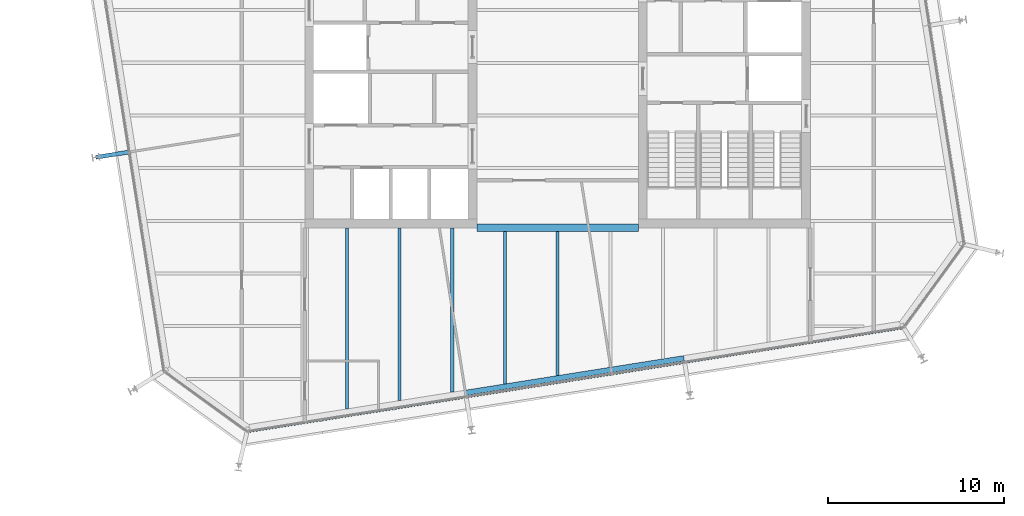
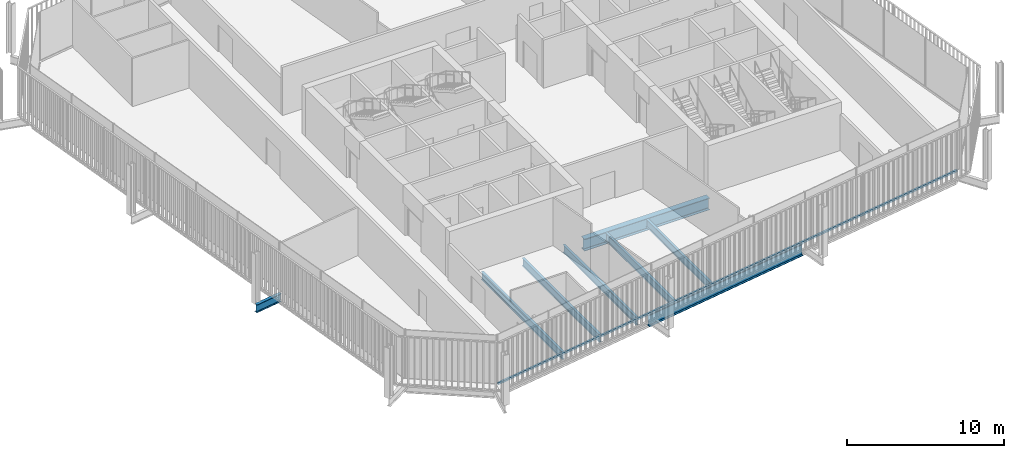
# One storey, part 3 of 20: 8 beams, 1 member, 1 element without a shape of its own.
"""IFC4 building model written with IfcOpenShell, lengths in metres."""

import ifcopenshell
import ifcopenshell.guid

model = None  # the IFC model being written
_history = None  # IfcOwnerHistory: only IFC2X3 demands one
_inside = {}  # id of a spatial element -> (the spatial element, [elements in it])
_under = {}  # id of a project, library or spatial element -> (it, [spatial elements below it])
_declared = {}  # id of a project -> (the project, [libraries it declares])
_typed = {}  # id of a type object -> (the type object, [elements of that type])
_made_of = {}  # id of a material, layer set ... -> (it, [elements and type objects made of it])


def new_model(schema):
    """Start an empty IFC model of exactly this schema.

    Asked for "IFC4X3", IfcOpenShell would pick the latest addendum, in which some entities
    have other attributes; the version numbers below select the first issue.
    IFC2X3 requires an IfcOwnerHistory on every rooted entity: one is made here for all.
    """
    global model, _history
    if schema == "IFC4X3":
        model = ifcopenshell.file(schema_version=(4, 3, 0, 0))
    else:
        model = ifcopenshell.file(schema=schema)
    _inside.clear()
    _under.clear()
    _declared.clear()
    _typed.clear()
    _made_of.clear()
    _history = None
    if model.schema == "IFC2X3":
        org = make("IfcOrganization", Name="unknown")
        user = make(
            "IfcPersonAndOrganization",
            ThePerson=make("IfcPerson", FamilyName="unknown"),
            TheOrganization=org,
        )
        app = make(
            "IfcApplication",
            ApplicationDeveloper=org,
            Version="unknown",
            ApplicationFullName="unknown",
            ApplicationIdentifier="unknown",
        )
        _history = make(
            "IfcOwnerHistory",
            OwningUser=user,
            OwningApplication=app,
            ChangeAction="ADDED",
            CreationDate=0,
        )
    return model


def make(cls, **values):
    """One entity of the class cls with the attributes given. An attribute that is None is left unset."""
    return model.create_entity(
        cls, **{name: value for name, value in values.items() if value is not None}
    )


def rooted(cls, **values):
    """An entity with a GlobalId (a new one), such as an element, a storey or a relation."""
    return make(cls, GlobalId=ifcopenshell.guid.new(), OwnerHistory=_history, **values)


def si_unit(unit_type, name, prefix=None):
    """IfcSIUnit, for example si_unit("LENGTHUNIT", "METRE", prefix="MILLI")."""
    return make("IfcSIUnit", UnitType=unit_type, Prefix=prefix, Name=name)


def assignment(units):
    """IfcUnitAssignment: the units of a project."""
    return None if units is None else make("IfcUnitAssignment", Units=units)


def point(xyz):
    """IfcCartesianPoint."""
    return None if xyz is None else make("IfcCartesianPoint", Coordinates=xyz)


def direction(xyz):
    """IfcDirection."""
    return None if xyz is None else make("IfcDirection", DirectionRatios=xyz)


def frame(location, z_axis=None, x_axis=None):
    """IfcAxis2Placement3D, a coordinate frame: its origin and axes. An axis left out is left unset."""
    return make(
        "IfcAxis2Placement3D",
        Location=point(location),
        Axis=direction(z_axis),
        RefDirection=direction(x_axis),
    )


def frame_2d(location, x_axis=None):
    """IfcAxis2Placement2D, a coordinate frame in the plane: its origin and x axis."""
    return make(
        "IfcAxis2Placement2D", Location=point(location), RefDirection=direction(x_axis)
    )


def origin():
    """The frame at (0, 0, 0) with its axes left unset."""
    return frame((0.0, 0.0, 0.0))


def origin_2d():
    """The frame at (0, 0) in the plane with its x axis left unset."""
    return frame_2d((0.0, 0.0))


def place(relative_to, where):
    """IfcLocalPlacement: puts the frame where relative to a parent placement (None: the world)."""
    return make(
        "IfcLocalPlacement", PlacementRelTo=relative_to, RelativePlacement=where
    )


def context(
    kind, dimensions, precision=None, world=None, true_north=None, identifier=None
):
    """IfcGeometricRepresentationContext, for example the 3D "Model" context."""
    return make(
        "IfcGeometricRepresentationContext",
        ContextIdentifier=identifier,
        ContextType=kind,
        CoordinateSpaceDimension=dimensions,
        Precision=precision,
        WorldCoordinateSystem=world,
        TrueNorth=true_north,
    )


def subcontext(parent, identifier, kind, view, scale=None):
    """IfcGeometricRepresentationSubContext, for example "Body" below "Model"."""
    return make(
        "IfcGeometricRepresentationSubContext",
        ContextIdentifier=identifier,
        ContextType=kind,
        ParentContext=parent,
        TargetScale=scale,
        TargetView=view,
    )


def project(units=None, contexts=None):
    """IfcProject with its units and contexts."""
    return rooted(
        "IfcProject",
        Name="project",
        RepresentationContexts=contexts,
        UnitsInContext=assignment(units),
    )


def spatial(cls, under=None, at=None, **own):
    """A site, building, storey or space (cls), placed at a placement, below another one or the project."""
    s = rooted(cls, ObjectPlacement=at, **own)
    if under is not None:
        _under.setdefault(under.id(), (under, []))[1].append(s)
    return s


def profile(cls, at=None, kind="AREA", **sizes):
    """A parametric profile (cls). Its sizes go by their IFC names, for example OverallWidth=200.0."""
    return make(cls, ProfileType=kind, Position=at, **sizes)


def rectangle(**sizes):
    """IfcRectangleProfileDef."""
    return profile("IfcRectangleProfileDef", **sizes)


def i_section(**sizes):
    """IfcIShapeProfileDef."""
    return profile("IfcIShapeProfileDef", **sizes)


def extrude(swept, where, along, depth):
    """IfcExtrudedAreaSolid: the profile swept, set in the frame where, extruded along a direction by depth."""
    return make(
        "IfcExtrudedAreaSolid",
        SweptArea=swept,
        Position=where,
        ExtrudedDirection=direction(along),
        Depth=depth,
    )


def shape(context_of_items, identifier, shape_type, items):
    """IfcShapeRepresentation: the items that make up one representation, for example the "Body"."""
    return make(
        "IfcShapeRepresentation",
        ContextOfItems=context_of_items,
        RepresentationIdentifier=identifier,
        RepresentationType=shape_type,
        Items=items,
    )


def material(Name=None, Category=None):
    """IfcMaterial."""
    return make("IfcMaterial", Name=Name, Category=Category)


def layer(
    of_material, thickness, ventilated=None, Name=None, Category=None, Priority=None
):
    """IfcMaterialLayer: one layer of a wall or slab, of a material (None: an air gap)."""
    return make(
        "IfcMaterialLayer",
        Material=of_material,
        LayerThickness=thickness,
        IsVentilated=ventilated,
        Name=Name,
        Category=Category,
        Priority=Priority,
    )


def layer_set(layers, Name=None):
    """IfcMaterialLayerSet."""
    return make("IfcMaterialLayerSet", MaterialLayers=layers, LayerSetName=Name)


def material_profile(
    of_material, cross_section, Name=None, Category=None, Priority=None
):
    """IfcMaterialProfile: a cross section and its material."""
    return make(
        "IfcMaterialProfile",
        Name=Name,
        Material=of_material,
        Profile=cross_section,
        Priority=Priority,
        Category=Category,
    )


def profile_set(profiles, Name=None, composite=None):
    """IfcMaterialProfileSet."""
    return make(
        "IfcMaterialProfileSet",
        Name=Name,
        MaterialProfiles=profiles,
        CompositeProfile=composite,
    )


def made_of(thing, what):
    """Note that an element or type object is made of a material, layer set ...; save() writes the relation."""
    if what is not None:
        _made_of.setdefault(what.id(), (what, []))[1].append(thing)
    return thing


def type_object(cls, material=None, **own):
    """A type object (cls), such as IfcWallType, which elements share."""
    return made_of(rooted(cls, **own), material)


def element(
    cls,
    number,
    at=None,
    inside=None,
    cuts=None,
    type_object=None,
    material=None,
    context=None,
    identifier="Body",
    shape_type=None,
    held_by="IfcProductDefinitionShape",
    body=None,
    shapes=None,
    **own,
):
    """One element of the class cls, such as IfcWall. Its Tag is "e" and its number.

    at: its placement. inside: the storey or other place that contains it. cuts: it is an
    opening in that element (IfcRelVoidsElement). A single representation is given by context,
    identifier, shape_type and body (its items); several are given by shapes. held_by: the class
    of the entity that holds the representations. save() writes the other relations.
    """
    e = rooted(cls, Tag="e%d" % number, ObjectPlacement=at, **own)
    if body is not None:
        shapes = [shape(context, identifier, shape_type, body)]
    if shapes is not None:
        e.Representation = make(held_by, Representations=shapes)
    if inside is not None:
        _inside.setdefault(inside.id(), (inside, []))[1].append(e)
    if cuts is not None:
        rooted(
            "IfcRelVoidsElement", RelatingBuildingElement=cuts, RelatedOpeningElement=e
        )
    if type_object is not None:
        _typed.setdefault(type_object.id(), (type_object, []))[1].append(e)
    return made_of(e, material)


def aggregate(whole, parts):
    """IfcRelAggregates: a whole, such as a stair, and the parts it consists of."""
    return rooted("IfcRelAggregates", RelatingObject=whole, RelatedObjects=parts)


def save(model, path):
    """Write the relations noted so far, then the file.

    IfcRelAggregates (storeys below a building ...), IfcRelContainedInSpatialStructure (elements
    in a storey), IfcRelDefinesByType, IfcRelAssociatesMaterial and IfcRelDeclares: one each for
    every whole, place, type object, material and project.
    """
    for whole, parts in _under.values():
        aggregate(whole, parts)
    for where, things in _inside.values():
        rooted(
            "IfcRelContainedInSpatialStructure",
            RelatedElements=things,
            RelatingStructure=where,
        )
    for kind, things in _typed.values():
        rooted("IfcRelDefinesByType", RelatedObjects=things, RelatingType=kind)
    for what, things in _made_of.values():
        rooted("IfcRelAssociatesMaterial", RelatedObjects=things, RelatingMaterial=what)
    for by, libraries in _declared.values():
        rooted("IfcRelDeclares", RelatingContext=by, RelatedDefinitions=libraries)
    model.write(path)


model = new_model("IFC4")

# Units and contexts
model_context = context("Model", 3, precision=1e-05, world=origin(), true_north=direction((0.0, 1.0)))
body_context = subcontext(model_context, "Body", "Model", "MODEL_VIEW")
ifc_project = project(units=[si_unit("LENGTHUNIT", "METRE"), si_unit("AREAUNIT", "SQUARE_METRE"), si_unit("VOLUMEUNIT", "CUBIC_METRE"), si_unit("PLANEANGLEUNIT", "RADIAN"), si_unit("MASSUNIT", "GRAM", prefix="KILO")], contexts=[model_context])

# Site, building, storey
site_placement = place(None, origin())
site = spatial("IfcSite", under=ifc_project, at=site_placement, CompositionType="ELEMENT")
building_placement = place(site_placement, origin())
building = spatial("IfcBuilding", under=site, at=building_placement, Name="Millrace Tower", CompositionType="ELEMENT")
storey_placement = place(building_placement, frame((0.0, 0.0, 251.300048828125)))
storey = spatial("IfcBuildingStorey", under=building, at=storey_placement, Name="L57", CompositionType="ELEMENT", Elevation=251.300048828125)

# Curtain wall, member
ifc_material_1 = material(Name="Aluminium and glass", Category="aluminium")
ifc_layer = layer(ifc_material_1, 0.14990234375)
ifc_layer_set = layer_set([ifc_layer], Name="Aluminium and glass")
curtain_wall_type = type_object("IfcCurtainWallType", Name="CW-1 office vision curtain wall", PredefinedType="NOTDEFINED", material=ifc_layer_set)
curtain_wall_placement = place(storey_placement, origin())
curtain_wall = element("IfcCurtainWall", 1, at=curtain_wall_placement, inside=storey, type_object=curtain_wall_type, Name="Curtain wall D-F02 L57", PredefinedType="NOTDEFINED")
ifc_material_2 = material(Name="Aluminium", Category="aluminium")
ifc_material_profile_1 = material_profile(ifc_material_2, rectangle(XDim=0.14990234375, YDim=0.139892578125, at=origin_2d()))
ifc_profile_set_1 = profile_set([ifc_material_profile_1], Name="Aluminium")
member_type = type_object("IfcMemberType", Name="CW-1 office vision curtain wall transom", PredefinedType="USERDEFINED", material=ifc_profile_set_1)
member_placement = place(storey_placement, frame((-17.558837890625, -20.98193359375, 0.070068359375), z_axis=(0.987687829698, 0.156437690685, 0.0), x_axis=(-0.156437690685, 0.987687829698, 0.0)))
member = element("IfcMember", 2, at=member_placement, type_object=member_type, Name="CW1 transom D-F02.1", ObjectType="TRANSOM", PredefinedType="USERDEFINED", context=body_context, shape_type="SweptSolid", body=[
    extrude(rectangle(XDim=0.14990234375, YDim=0.139892578125, at=origin_2d()), origin(), (0.0, 0.0, 1.0), 37.60009765625),
])
aggregate(curtain_wall, [member])

# Beams
ifc_material_3 = material(Name="Steel ASTM A992 Grade 50", Category="steel")
ifc_material_profile_2 = material_profile(ifc_material_3, i_section(OverallWidth=0.177978515625, OverallDepth=0.599365234375, WebThickness=0.010009765625, FlangeThickness=0.012939453125, FilletRadius=0.012939453125, at=origin_2d()))
ifc_profile_set_2 = profile_set([ifc_material_profile_2], Name="Steel ASTM A992 Grade 50")
beam_type_1 = type_object("IfcBeamType", Name="Floor beam W24x55", PredefinedType="JOIST", material=ifc_profile_set_2)
beam_1_placement = place(storey_placement, frame((-9.0, -19.2392578125, -0.459716796875), z_axis=(0.0, 1.0, 0.0), x_axis=(-1.0, 0.0, 0.0)))
element("IfcBeam", 3, at=beam_1_placement, inside=storey, type_object=beam_type_1, Name="BM-D-L57-S1-S039", PredefinedType="JOIST", context=body_context, shape_type="SweptSolid", body=[
    extrude(i_section(OverallWidth=0.177978515625, OverallDepth=0.599365234375, WebThickness=0.010009765625, FlangeThickness=0.012939453125, FilletRadius=0.012939453125, at=origin_2d()), origin(), (0.0, 0.0, 1.0), 9.83935546875),
])
beam_2_placement = place(storey_placement, frame((-6.0, -18.763916015625, -0.459716796875), z_axis=(0.0, 1.0, 0.0), x_axis=(-1.0, 0.0, 0.0)))
element("IfcBeam", 4, at=beam_2_placement, inside=storey, type_object=beam_type_1, Name="BM-D-L57-S1-S041", PredefinedType="JOIST", context=body_context, shape_type="SweptSolid", body=[
    extrude(i_section(OverallWidth=0.177978515625, OverallDepth=0.599365234375, WebThickness=0.010009765625, FlangeThickness=0.012939453125, FilletRadius=0.012939453125, at=origin_2d()), origin(), (0.0, 0.0, 1.0), 9.364013671875),
])
beam_3_placement = place(storey_placement, frame((-3.0, -18.288818359375, -0.459716796875), z_axis=(0.0, 1.0, 0.0), x_axis=(-1.0, 0.0, 0.0)))
element("IfcBeam", 5, at=beam_3_placement, inside=storey, type_object=beam_type_1, Name="BM-D-L57-S1-S043", PredefinedType="JOIST", context=body_context, shape_type="SweptSolid", body=[
    extrude(i_section(OverallWidth=0.177978515625, OverallDepth=0.599365234375, WebThickness=0.010009765625, FlangeThickness=0.012939453125, FilletRadius=0.012939453125, at=origin_2d()), origin(), (0.0, 0.0, 1.0), 8.67919921875),
])
beam_4_placement = place(storey_placement, frame((0.0, -17.813720703125, -0.459716796875), z_axis=(0.0, 1.0, 0.0), x_axis=(-1.0, 0.0, 0.0)))
element("IfcBeam", 6, at=beam_4_placement, inside=storey, type_object=beam_type_1, Name="BM-D-L57-S1-S045", PredefinedType="JOIST", context=body_context, shape_type="SweptSolid", body=[
    extrude(i_section(OverallWidth=0.177978515625, OverallDepth=0.599365234375, WebThickness=0.010009765625, FlangeThickness=0.012939453125, FilletRadius=0.012939453125, at=origin_2d()), origin(), (0.0, 0.0, 1.0), 8.2041015625),
])
ifc_material_4 = material(Name="Steel ASTM A992 Grade 50", Category="steel")
ifc_material_profile_3 = material_profile(ifc_material_4, i_section(OverallWidth=0.1787109375, OverallDepth=0.60205078125, WebThickness=0.010986328125, FlangeThickness=0.014892578125, FilletRadius=0.0126953125, at=origin_2d()))
ifc_profile_set_3 = profile_set([ifc_material_profile_3], Name="Steel ASTM A992 Grade 50")
beam_type_2 = type_object("IfcBeamType", Name="Floor beam W24x62", PredefinedType="JOIST", material=ifc_profile_set_3)
beam_5_placement = place(storey_placement, frame((-12.0, -19.71435546875, -0.4609375), z_axis=(0.0, 1.0, 0.0), x_axis=(-1.0, 0.0, 0.0)))
element("IfcBeam", 7, at=beam_5_placement, inside=storey, type_object=beam_type_2, Name="BM-D-L57-S1-S037", PredefinedType="JOIST", context=body_context, shape_type="SweptSolid", body=[
    extrude(i_section(OverallWidth=0.1787109375, OverallDepth=0.60205078125, WebThickness=0.010986328125, FlangeThickness=0.014892578125, FilletRadius=0.0126953125, at=origin_2d()), origin(), (0.0, 0.0, 1.0), 10.314453125),
])
ifc_material_5 = material(Name="Steel ASTM A992 Grade 50", Category="steel")
ifc_material_profile_4 = material_profile(ifc_material_5, i_section(OverallWidth=0.419189453125, OverallDepth=0.927001953125, WebThickness=0.019287109375, FlangeThickness=0.031982421875, FilletRadius=0.024169921875, at=origin_2d()))
ifc_profile_set_4 = profile_set([ifc_material_profile_4], Name="Steel ASTM A992 Grade 50")
beam_type_3 = type_object("IfcBeamType", Name="Girder short span W36x231", PredefinedType="BEAM", material=ifc_profile_set_4)
beam_6_placement = place(storey_placement, frame((-4.60009765625, -9.39990234375, -0.62353515625), z_axis=(1.0, 0.0, 0.0), x_axis=(0.0, 1.0, 0.0)))
element("IfcBeam", 8, at=beam_6_placement, inside=storey, type_object=beam_type_3, Name="BM-D-L57-S1-G059", PredefinedType="BEAM", context=body_context, shape_type="SweptSolid", body=[
    extrude(i_section(OverallWidth=0.419189453125, OverallDepth=0.927001953125, WebThickness=0.019287109375, FlangeThickness=0.031982421875, FilletRadius=0.024169921875, at=origin_2d()), origin(), (0.0, 0.0, 1.0), 9.2001953125),
])
ifc_material_6 = material(Name="Steel ASTM A992 Grade 50", Category="steel")
ifc_material_profile_5 = material_profile(ifc_material_6, i_section(OverallWidth=0.23046875, OverallDepth=0.6171875, WebThickness=0.01318359375, FlangeThickness=0.022216796875, FilletRadius=0.012939453125, at=origin_2d()))
ifc_profile_set_5 = profile_set([ifc_material_profile_5], Name="Steel ASTM A992 Grade 50")
beam_type_4 = type_object("IfcBeamType", Name="Link beam W24x94", PredefinedType="BEAM", material=ifc_profile_set_5)
beam_7_placement = place(storey_placement, frame((-24.331298828125, -5.0703125, -0.46875), z_axis=(-0.987678691416, -0.156495375404, 0.0), x_axis=(0.156495375404, -0.987678691416, 0.0)))
element("IfcBeam", 9, at=beam_7_placement, inside=storey, type_object=beam_type_4, Name="LNK-D-L57-S1-02", PredefinedType="BEAM", context=body_context, shape_type="SweptSolid", body=[
    extrude(i_section(OverallWidth=0.23046875, OverallDepth=0.6171875, WebThickness=0.01318359375, FlangeThickness=0.022216796875, FilletRadius=0.012939453125, at=origin_2d()), origin(), (0.0, 0.0, 1.0), 2.0),
])
ifc_material_7 = material(Name="Steel ASTM A992 Grade 50", Category="steel")
ifc_material_profile_6 = material_profile(ifc_material_7, i_section(OverallWidth=0.307373046875, OverallDepth=0.927001953125, WebThickness=0.01953125, FlangeThickness=0.031982421875, FilletRadius=0.01904296875, at=origin_2d()))
ifc_profile_set_6 = profile_set([ifc_material_profile_6], Name="Steel ASTM A992 Grade 50")
beam_type_5 = type_object("IfcBeamType", Name="Ring beam medium span W36x194", PredefinedType="SPANDREL", material=ifc_profile_set_6)
beam_8_placement = place(storey_placement, frame((7.1962890625, -16.82958984375, -0.62353515625), z_axis=(-0.987689802912, -0.156425232058, 0.0), x_axis=(0.156425232058, -0.987689802912, 0.0)))
element("IfcBeam", 10, at=beam_8_placement, inside=storey, type_object=beam_type_5, Name="RNG-D-L57-S1-14", PredefinedType="SPANDREL", context=body_context, shape_type="SweptSolid", body=[
    extrude(i_section(OverallWidth=0.307373046875, OverallDepth=0.927001953125, WebThickness=0.01953125, FlangeThickness=0.031982421875, FilletRadius=0.01904296875, at=origin_2d()), origin(), (0.0, 0.0, 1.0), 12.599853515625),
])

save(model, "model.ifc")
